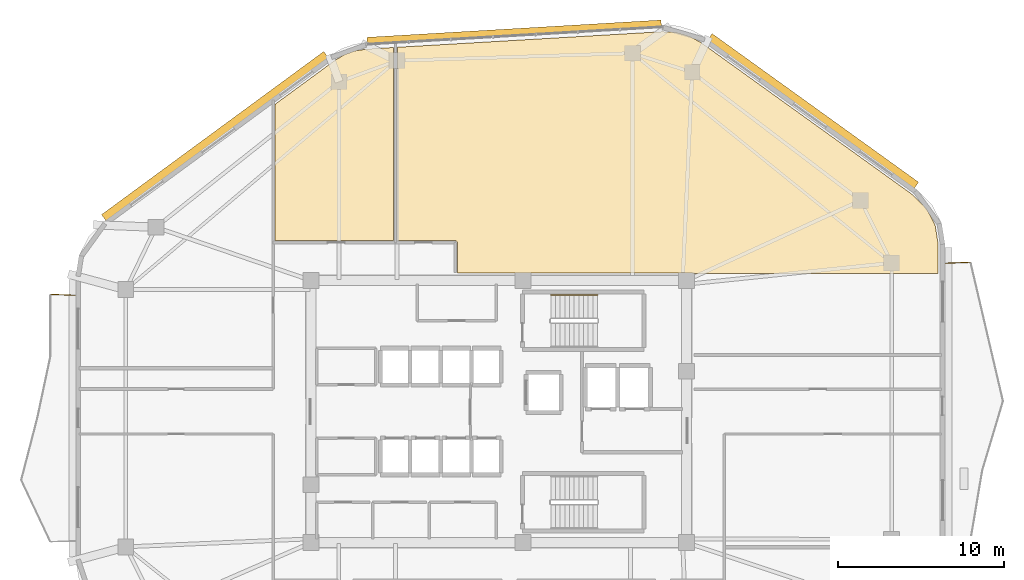
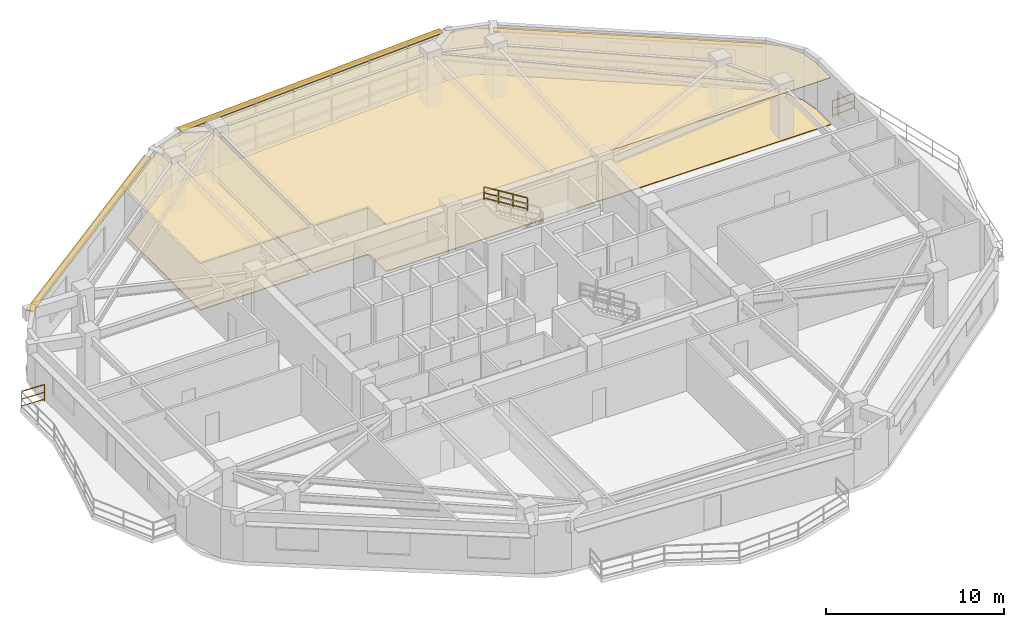
# One storey, part 14 of 14: 4 coverings, 3 railings, 3 shading devices.
"""IFC4 building model written with IfcOpenShell, lengths in metres."""

from ifc_helpers import new_model, si_unit, direction, frame, origin, origin_2d, place, context, subcontext, project, spatial, polyline, rectangle, outline, extrude, material, layer, layer_set, type_object, element, save


model = new_model("IFC4")

# Units and contexts
model_context = context("Model", 3, precision=1e-05, world=origin(), true_north=direction((0.0, 1.0)))
body_context = subcontext(model_context, "Body", "Model", "MODEL_VIEW")
ifc_project = project(units=[si_unit("LENGTHUNIT", "METRE"), si_unit("AREAUNIT", "SQUARE_METRE"), si_unit("VOLUMEUNIT", "CUBIC_METRE"), si_unit("PLANEANGLEUNIT", "RADIAN"), si_unit("MASSUNIT", "GRAM", prefix="KILO")], contexts=[model_context])

# Site, building, storey
site_placement = place(None, origin())
site = spatial("IfcSite", under=ifc_project, at=site_placement, CompositionType="ELEMENT")
building_placement = place(site_placement, origin())
building = spatial("IfcBuilding", under=site, at=building_placement, Name="Zulverin Broadcast Headquarters", CompositionType="ELEMENT")
storey_placement = place(building_placement, frame((0.0, 0.0, 216.199951171875)))
storey = spatial("IfcBuildingStorey", under=building, at=storey_placement, Name="L55", CompositionType="ELEMENT", Elevation=216.199951171875)

# Coverings
ifc_material_1 = material(Name="Perforated pale-metal acoustic baffle ceiling", Category="aluminium")
ifc_layer_1 = layer(ifc_material_1, 0.0400390625, Name="Perforated pale-metal acoustic baffle ceiling", Category="aluminium")
ifc_layer_set_1 = layer_set([ifc_layer_1], Name="Perforated pale-metal acoustic baffle ceiling")
covering_type_1 = type_object("IfcCoveringType", Name="COV-CEIL-ACOU", PredefinedType="CEILING", material=ifc_layer_set_1)
covering_1_placement = place(storey_placement, frame((0.0, 0.0, 3.219970703125)))
element("IfcCovering", 1, at=covering_1_placement, inside=storey, type_object=covering_type_1, Name="L55 Acoustic Baffle Ceiling 01", PredefinedType="CEILING", context=body_context, shape_type="SweptSolid", body=[
    extrude(outline(polyline([(30.679931640625, 35.471923828125), (30.679931640625, 47.06396484375), (29.075927734375, 46.971923828125), (28.3759765625, 46.864013671875), (27.73193359375, 46.632080078125), (27.1279296875, 46.26806640625), (23.572021484375, 43.659912109375), (23.572021484375, 35.471923828125), (30.679931640625, 35.471923828125)])), origin(), (0.0, 0.0, 1.0), 0.0400390625),
])
covering_2_placement = place(storey_placement, frame((0.0, 0.0, 3.219970703125)))
element("IfcCovering", 2, at=covering_2_placement, inside=storey, type_object=covering_type_1, Name="L55 Acoustic Baffle Ceiling 02", PredefinedType="CEILING", context=body_context, shape_type="SweptSolid", body=[
    extrude(outline(polyline([(48.4599609375, 47.739990234375), (47.679931640625, 47.968017578125), (46.840087890625, 48.01611328125), (30.919921875, 47.080078125), (30.919921875, 35.471923828125), (34.360107421875, 35.471923828125), (34.3720703125, 35.471923828125), (34.384033203125, 35.468017578125), (34.39208984375, 35.468017578125), (34.39990234375, 35.464111328125), (34.407958984375, 35.464111328125), (34.419921875, 35.4599609375), (34.427978515625, 35.4560546875), (34.43603515625, 35.451904296875), (34.447998046875, 35.444091796875), (34.4599609375, 35.43603515625), (34.468017578125, 35.427978515625), (34.47607421875, 35.419921875), (34.48388671875, 35.412109375), (34.491943359375, 35.39990234375), (34.5, 35.387939453125), (34.50390625, 35.3798828125), (34.508056640625, 35.3720703125), (34.511962890625, 35.364013671875), (34.51611328125, 35.35205078125), (34.51611328125, 35.343994140625), (34.52001953125, 35.33203125), (34.52001953125, 35.320068359375), (34.52001953125, 33.52001953125), (48.568115234375, 33.52001953125), (48.580078125, 33.52001953125), (48.592041015625, 33.51611328125), (48.60009765625, 33.51611328125), (48.612060546875, 33.511962890625), (48.6201171875, 33.508056640625), (48.635986328125, 33.5), (63.39990234375, 33.5), (63.39990234375, 35.236083984375), (63.216064453125, 36.384033203125), (62.699951171875, 37.387939453125), (61.8798828125, 38.2080078125), (49.196044921875, 47.33203125), (48.4599609375, 47.739990234375)])), origin(), (0.0, 0.0, 1.0), 0.0400390625),
])
ifc_material_2 = material(Name="Anti-static broadcast raised access flooring", Category="stone")
ifc_layer_2 = layer(ifc_material_2, 0.050048828125, Name="Anti-static broadcast raised access flooring", Category="stone")
ifc_layer_set_2 = layer_set([ifc_layer_2], Name="Anti-static broadcast raised access flooring")
covering_type_2 = type_object("IfcCoveringType", Name="COV-FLR-RAISED", PredefinedType="FLOORING", material=ifc_layer_set_2)
covering_3_placement = place(storey_placement, origin())
element("IfcCovering", 3, at=covering_3_placement, inside=storey, type_object=covering_type_2, Name="L55 Broadcast Raised Access Flooring 01", PredefinedType="FLOORING", context=body_context, shape_type="SweptSolid", body=[
    extrude(outline(polyline([(30.679931640625, 35.471923828125), (30.679931640625, 47.06396484375), (29.075927734375, 46.971923828125), (28.3759765625, 46.864013671875), (27.73193359375, 46.632080078125), (27.1279296875, 46.26806640625), (23.572021484375, 43.659912109375), (23.572021484375, 35.471923828125), (30.679931640625, 35.471923828125)])), origin(), (0.0, 0.0, 1.0), 0.050048828125),
])
covering_4_placement = place(storey_placement, origin())
element("IfcCovering", 4, at=covering_4_placement, inside=storey, type_object=covering_type_2, Name="L55 Broadcast Raised Access Flooring 02", PredefinedType="FLOORING", context=body_context, shape_type="SweptSolid", body=[
    extrude(outline(polyline([(48.4599609375, 47.739990234375), (47.679931640625, 47.968017578125), (46.840087890625, 48.01611328125), (30.919921875, 47.080078125), (30.919921875, 35.471923828125), (34.360107421875, 35.471923828125), (34.3720703125, 35.471923828125), (34.384033203125, 35.468017578125), (34.39208984375, 35.468017578125), (34.39990234375, 35.464111328125), (34.407958984375, 35.464111328125), (34.419921875, 35.4599609375), (34.427978515625, 35.4560546875), (34.43603515625, 35.451904296875), (34.447998046875, 35.444091796875), (34.4599609375, 35.43603515625), (34.468017578125, 35.427978515625), (34.47607421875, 35.419921875), (34.48388671875, 35.412109375), (34.491943359375, 35.39990234375), (34.5, 35.387939453125), (34.50390625, 35.3798828125), (34.508056640625, 35.3720703125), (34.511962890625, 35.364013671875), (34.51611328125, 35.35205078125), (34.51611328125, 35.343994140625), (34.52001953125, 35.33203125), (34.52001953125, 35.320068359375), (34.52001953125, 33.52001953125), (48.568115234375, 33.52001953125), (48.580078125, 33.52001953125), (48.592041015625, 33.51611328125), (48.60009765625, 33.51611328125), (48.612060546875, 33.511962890625), (48.6201171875, 33.508056640625), (48.635986328125, 33.5), (63.39990234375, 33.5), (63.39990234375, 35.236083984375), (63.216064453125, 36.384033203125), (62.699951171875, 37.387939453125), (61.8798828125, 38.2080078125), (49.196044921875, 47.33203125), (48.4599609375, 47.739990234375)])), origin(), (0.0, 0.0, 1.0), 0.050048828125),
])

# Railings
ifc_material_3 = material(Name="Brushed stainless steel & laminated glass balustrade", Category="steel")
railing_type_1 = type_object("IfcRailingType", Name="RL-GUARD-1150", PredefinedType="GUARDRAIL", material=ifc_material_3)
railing_1_placement = place(storey_placement, frame((65.304931640625, 34.16552734375, 0.0)))
element("IfcRailing", 5, at=railing_1_placement, inside=storey, type_object=railing_type_1, Name="L55 Vertical-Forest Balcony Guardrail BAL_E Segment 05", PredefinedType="GUARDRAIL", context=body_context, shape_type="SweptSolid", body=[
    extrude(rectangle(XDim=0.048095703125, YDim=0.048095703125, at=origin_2d()), frame((0.0, 0.0, 1.1259765625), z_axis=(-0.99918088253, -0.040466825742, 0.0), x_axis=(0.040466825742, -0.99918088253, 0.0)), (0.0, 0.0, 1.0), 1.466064453125),
    extrude(rectangle(XDim=0.0419921875, YDim=0.0419921875, at=origin_2d()), frame((0.0, 0.0, 0.597900390625), z_axis=(-0.99918088253, -0.040466825742, 0.0), x_axis=(0.040466825742, -0.99918088253, 0.0)), (0.0, 0.0, 1.0), 1.466064453125),
    extrude(rectangle(XDim=0.0419921875, YDim=0.0419921875, at=origin_2d()), frame((0.0, 0.0, 0.1201171875), z_axis=(-0.99918088253, -0.040466825742, 0.0), x_axis=(0.040466825742, -0.99918088253, 0.0)), (0.0, 0.0, 1.0), 1.466064453125),
    extrude(rectangle(XDim=0.0419921875, YDim=0.0419921875, at=origin_2d()), origin(), (0.0, 0.0, 1.0), 1.101806640625),
    extrude(rectangle(XDim=0.0419921875, YDim=0.0419921875, at=origin_2d()), frame((-1.46484375, -0.059326171875, 0.0)), (0.0, 0.0, 1.0), 1.101806640625),
])
railing_2_placement = place(storey_placement, frame((11.56005859375, 32.180419921875, 0.0)))
element("IfcRailing", 6, at=railing_2_placement, inside=storey, type_object=railing_type_1, Name="L55 Vertical-Forest Balcony Guardrail BAL_W Segment 01", PredefinedType="GUARDRAIL", context=body_context, shape_type="SweptSolid", body=[
    extrude(rectangle(XDim=0.048095703125, YDim=0.048095703125, at=origin_2d()), frame((0.0, 0.0, 1.1259765625), z_axis=(-0.999181155166, 0.040460093435, 0.0), x_axis=(-0.040460093435, -0.999181155166, 0.0)), (0.0, 0.0, 1.0), 1.46630859375),
    extrude(rectangle(XDim=0.0419921875, YDim=0.0419921875, at=origin_2d()), frame((0.0, 0.0, 0.597900390625), z_axis=(-0.999181155166, 0.040460093435, 0.0), x_axis=(-0.040460093435, -0.999181155166, 0.0)), (0.0, 0.0, 1.0), 1.46630859375),
    extrude(rectangle(XDim=0.0419921875, YDim=0.0419921875, at=origin_2d()), frame((0.0, 0.0, 0.1201171875), z_axis=(-0.999181155166, 0.040460093435, 0.0), x_axis=(-0.040460093435, -0.999181155166, 0.0)), (0.0, 0.0, 1.0), 1.46630859375),
    extrude(rectangle(XDim=0.0419921875, YDim=0.0419921875, at=origin_2d()), origin(), (0.0, 0.0, 1.0), 1.101806640625),
    extrude(rectangle(XDim=0.0419921875, YDim=0.0419921875, at=origin_2d()), frame((-1.465087890625, 0.059326171875, 0.0)), (0.0, 0.0, 1.0), 1.101806640625),
])
ifc_material_4 = material(Name="Brushed stainless steel 48 mm handrail", Category="steel")
railing_type_2 = type_object("IfcRailingType", Name="RL-ST-HAND", PredefinedType="HANDRAIL", material=ifc_material_4)
railing_3_placement = place(storey_placement, frame((42.929931640625, 32.199951171875, 2.07275390625)))
element("IfcRailing", 7, at=railing_3_placement, inside=storey, type_object=railing_type_2, Name="L55 ST-1 stair handrail 2", PredefinedType="HANDRAIL", context=body_context, shape_type="SweptSolid", body=[
    extrude(rectangle(XDim=0.048095703125, YDim=0.048095703125, at=origin_2d()), frame((0.0, 0.0, 0.8759765625), z_axis=(-0.851089632645, 0.0, 0.525020415988), x_axis=(0.0, -1.0, 0.0)), (0.0, 0.0, 1.0), 3.2900390625),
    extrude(rectangle(XDim=0.0419921875, YDim=0.0419921875, at=origin_2d()), frame((0.0, 0.0, 0.468017578125), z_axis=(-0.851089632645, 0.0, 0.525020415988), x_axis=(0.0, -1.0, 0.0)), (0.0, 0.0, 1.0), 3.2900390625),
    extrude(rectangle(XDim=0.0419921875, YDim=0.0419921875, at=origin_2d()), frame((0.0, 0.0, 0.1201171875), z_axis=(-0.851089632645, 0.0, 0.525020415988), x_axis=(0.0, -1.0, 0.0)), (0.0, 0.0, 1.0), 3.2900390625),
    extrude(rectangle(XDim=0.0419921875, YDim=0.0419921875, at=origin_2d()), origin(), (0.0, 0.0, 1.0), 0.851806640625),
    extrude(rectangle(XDim=0.0419921875, YDim=0.0419921875, at=origin_2d()), frame((-0.933349609375, 0.0, 0.57568359375)), (0.0, 0.0, 1.0), 0.851806640625),
    extrude(rectangle(XDim=0.0419921875, YDim=0.0419921875, at=origin_2d()), frame((-1.86669921875, 0.0, 1.151611328125)), (0.0, 0.0, 1.0), 0.851806640625),
    extrude(rectangle(XDim=0.0419921875, YDim=0.0419921875, at=origin_2d()), frame((-2.800048828125, 0.0, 1.727294921875)), (0.0, 0.0, 1.0), 0.851806640625),
])

# Shading devices
ifc_material_5 = material(Name="Anodized pale-metal aluminium sunshade", Category="aluminium")
ifc_layer_3 = layer(ifc_material_5, 0.06005859375, Name="Anodized pale-metal aluminium sunshade", Category="aluminium")
ifc_layer_set_3 = layer_set([ifc_layer_3], Name="Anodized pale-metal aluminium sunshade")
shading_device_type = type_object("IfcShadingDeviceType", Name="SS-01_PALE_METAL_ALUMINIUM_SUNSHADE", PredefinedType="USERDEFINED", material=ifc_layer_set_3)
shading_device_1_placement = place(storey_placement, frame((55.889404296875, 43.254150390625, 2.7099609375), z_axis=(0.0, 0.0, 1.0), x_axis=(-0.811723852333, 0.58404142623, 0.0)))
element("IfcShadingDevice", 8, at=shading_device_1_placement, inside=storey, type_object=shading_device_type, Name="L55 Horizontal Pale-Metal Sunshade Band 4", ObjectType="SUNSHADE", PredefinedType="USERDEFINED", context=body_context, shape_type="SweptSolid", body=[
    extrude(rectangle(XDim=15.279296875, YDim=0.449951171875, at=origin_2d()), origin(), (0.0, 0.0, 1.0), 0.06005859375),
])
shading_device_2_placement = place(storey_placement, frame((37.93212890625, 47.972900390625, 3.169921875), z_axis=(0.0, 0.0, 1.0), x_axis=(-0.998274332859, -0.058722707319, 0.0)))
element("IfcShadingDevice", 9, at=shading_device_2_placement, inside=storey, type_object=shading_device_type, Name="L55 Pale-Metal Horizontal Sunshade Band CW-L55-E5", ObjectType="SUNSHADE", PredefinedType="USERDEFINED", context=body_context, shape_type="SweptSolid", body=[
    extrude(rectangle(XDim=17.693115234375, YDim=0.449951171875, at=origin_2d()), origin(), (0.0, 0.0, 1.0), 0.06005859375),
])
shading_device_3_placement = place(storey_placement, frame((19.94970703125, 41.743896484375, 2.7099609375), z_axis=(0.0, 0.0, 1.0), x_axis=(-0.806096670674, -0.591783877382, 0.0)))
element("IfcShadingDevice", 10, at=shading_device_3_placement, inside=storey, type_object=shading_device_type, Name="L55 Horizontal Pale-Metal Sunshade Band 6", ObjectType="SUNSHADE", PredefinedType="USERDEFINED", context=body_context, shape_type="SweptSolid", body=[
    extrude(rectangle(XDim=16.558837890625, YDim=0.449951171875, at=origin_2d()), origin(), (0.0, 0.0, 1.0), 0.06005859375),
])

save(model, "model.ifc")
